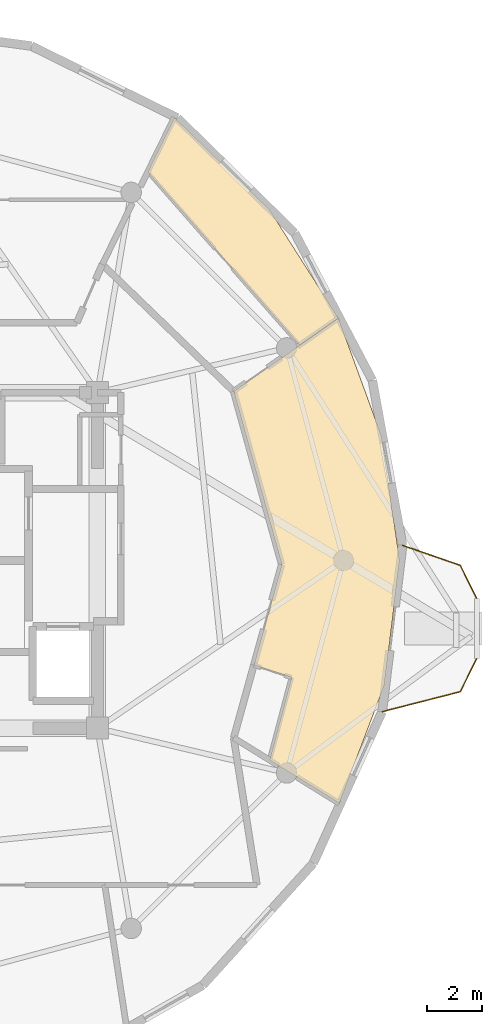
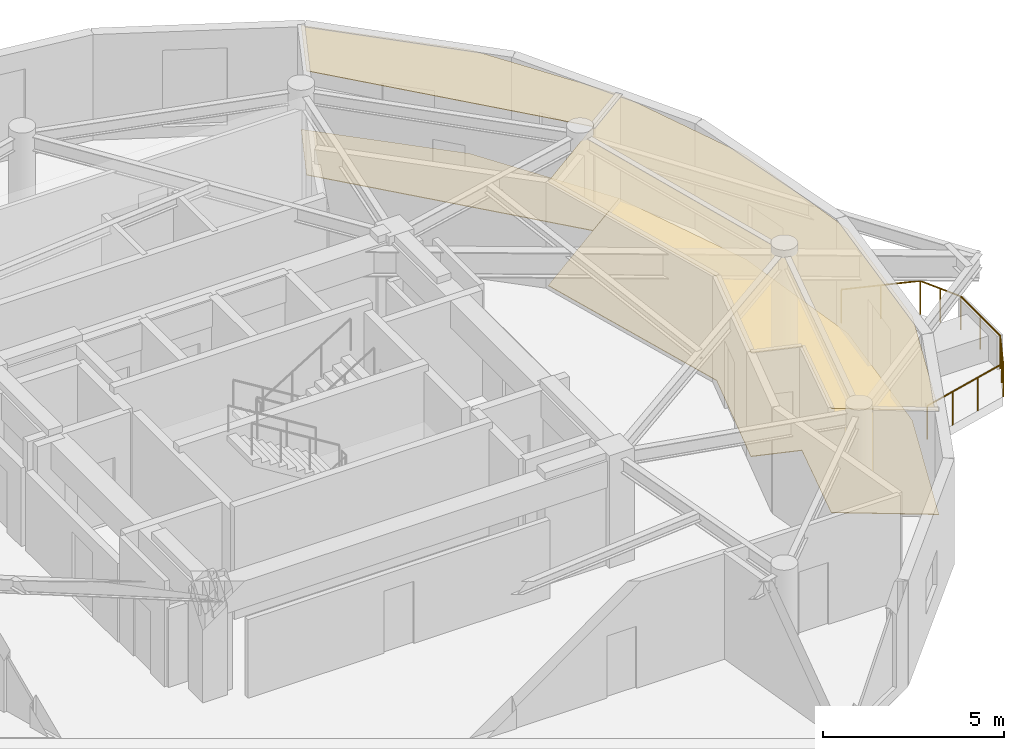
# One storey, part 18 of 18: 4 coverings, 1 railing.
"""IFC4 building model written with IfcOpenShell, lengths in metres."""

from ifc_helpers import new_model, si_unit, direction, frame, origin, origin_2d, place, context, subcontext, project, spatial, polyline, circle, outline, extrude, material, layer, layer_set, type_object, element, save


model = new_model("IFC4")

# Units and contexts
model_context = context("Model", 3, precision=1e-05, world=origin(), true_north=direction((0.0, 1.0)))
body_context = subcontext(model_context, "Body", "Model", "MODEL_VIEW")
ifc_project = project(units=[si_unit("LENGTHUNIT", "METRE"), si_unit("AREAUNIT", "SQUARE_METRE"), si_unit("VOLUMEUNIT", "CUBIC_METRE"), si_unit("PLANEANGLEUNIT", "RADIAN"), si_unit("MASSUNIT", "GRAM", prefix="KILO")], contexts=[model_context])

# Site, building, storey
site_placement = place(None, origin())
site = spatial("IfcSite", under=ifc_project, at=site_placement, CompositionType="ELEMENT")
building_placement = place(site_placement, origin())
building = spatial("IfcBuilding", under=site, at=building_placement, Name="Solvirekh Grand Hotel", CompositionType="ELEMENT")
storey_placement = place(building_placement, frame((0.0, 0.0, 274.39990234375)))
storey = spatial("IfcBuildingStorey", under=building, at=storey_placement, Name="L71", CompositionType="ELEMENT", Elevation=274.39990234375)

# Coverings
ifc_material_1 = material(Name="Acoustic Mineral Ceiling Tile")
ifc_layer_1 = layer(ifc_material_1, 0.02490234375)
ifc_layer_set_1 = layer_set([ifc_layer_1], Name="Acoustic Mineral Ceiling Tile")
covering_type_1 = type_object("IfcCoveringType", Name="Cov_Ceiling_Acoustic", PredefinedType="CEILING", material=ifc_layer_set_1)
covering_1_placement = place(storey_placement, frame((0.0, 0.0, 3.52001953125)))
element("IfcCovering", 1, at=covering_1_placement, inside=storey, type_object=covering_type_1, Name="L71 Diplomatic Suite 7304 Living Room acoustic ceiling", PredefinedType="CEILING", context=body_context, shape_type="SweptSolid", body=[
    extrude(outline(polyline([(13.555908203125, -4.251953125), (12.759033203125, -7.260009765625), (15.294921875, -8.8310546875), (16.928955078125, -4.535888671875), (17.485107421875, 0.0), (16.8291015625, 4.509033203125), (15.260009765625, 8.81005859375), (11.451904296875, 6.14990234375), (13.199951171875, -0.14990234375), (12.18603515625, -3.803955078125), (13.555908203125, -4.251953125)])), origin(), (0.0, 0.0, 1.0), 0.01806640625),
])
covering_2_placement = place(storey_placement, frame((0.0, 0.0, 3.52001953125)))
element("IfcCovering", 2, at=covering_2_placement, inside=storey, type_object=covering_type_1, Name="L71 Diplomatic Suite 7304 Master Bedroom acoustic ceiling", PredefinedType="CEILING", context=body_context, shape_type="SweptSolid", body=[
    extrude(outline(polyline([(15.260009765625, 8.81005859375), (12.7529296875, 12.7529296875), (9.2958984375, 16.10107421875), (8.325927734375, 14.1259765625), (13.85107421875, 7.825927734375), (15.260009765625, 8.81005859375)])), origin(), (0.0, 0.0, 1.0), 0.01806640625),
])
ifc_material_2 = material(Name="Porcelain Stoneware Flooring", Category="masonry")
ifc_layer_2 = layer(ifc_material_2, 0.030029296875)
ifc_layer_set_2 = layer_set([ifc_layer_2], Name="Porcelain Stoneware Flooring")
covering_type_2 = type_object("IfcCoveringType", Name="Cov_Floor_Stone", PredefinedType="FLOORING", material=ifc_layer_set_2)
covering_3_placement = place(storey_placement, origin())
element("IfcCovering", 3, at=covering_3_placement, inside=storey, type_object=covering_type_2, Name="L71 Diplomatic Suite 7304 Living Room polished granite flooring", PredefinedType="FLOORING", context=body_context, shape_type="SweptSolid", body=[
    extrude(outline(polyline([(13.555908203125, -4.251953125), (12.759033203125, -7.260009765625), (15.294921875, -8.8310546875), (16.928955078125, -4.535888671875), (17.485107421875, 0.0), (16.8291015625, 4.509033203125), (15.260009765625, 8.81005859375), (11.451904296875, 6.14990234375), (13.199951171875, -0.14990234375), (12.18603515625, -3.803955078125), (13.555908203125, -4.251953125)])), origin(), (0.0, 0.0, 1.0), 0.02001953125),
])
covering_4_placement = place(storey_placement, origin())
element("IfcCovering", 4, at=covering_4_placement, inside=storey, type_object=covering_type_2, Name="L71 Diplomatic Suite 7304 Master Bedroom polished granite flooring", PredefinedType="FLOORING", context=body_context, shape_type="SweptSolid", body=[
    extrude(outline(polyline([(15.260009765625, 8.81005859375), (12.7529296875, 12.7529296875), (9.2958984375, 16.10107421875), (8.325927734375, 14.1259765625), (13.85107421875, 7.825927734375), (15.260009765625, 8.81005859375)])), origin(), (0.0, 0.0, 1.0), 0.02001953125),
])

# Railing
ifc_material_3 = material(Name="Anodized Bronze Aluminium 6063-T6", Category="aluminium")
railing_type = type_object("IfcRailingType", Name="Guard_ExtGlass_1150", PredefinedType="BALUSTRADE", material=ifc_material_3)
railing_placement = place(storey_placement, frame((16.85107421875, -5.5, 0.0)))
element("IfcRailing", 5, at=railing_placement, inside=storey, type_object=railing_type, Name="L71 horn perimeter glass balustrade", PredefinedType="BALUSTRADE", context=body_context, shape_type="SweptSolid", body=[
    extrude(circle(Radius=0.02392578125, at=origin_2d()), frame((0.0, 0.0, 1.1259765625), z_axis=(0.968855683644, 0.247626057336, 0.0), x_axis=(-0.247626057336, 0.968855683644, 0.0)), (0.0, 0.0, 1.0), 2.93212890625),
    extrude(circle(Radius=0.02392578125, at=origin_2d()), frame((2.8408203125, 0.72607421875, 1.1259765625), z_axis=(0.444319026152, 0.895868630436, 0.0), x_axis=(-0.895868630436, 0.444319026152, 0.0)), (0.0, 0.0, 1.0), 1.3505859375),
    extrude(circle(Radius=0.02392578125, at=origin_2d()), frame((3.44091796875, 1.93603515625, 1.1259765625), z_axis=(0.0, 1.0, 0.0), x_axis=(-1.0, 0.0, 0.0)), (0.0, 0.0, 1.0), 2.177978515625),
    extrude(circle(Radius=0.02392578125, at=origin_2d()), frame((3.44091796875, 4.114013671875, 1.1259765625), z_axis=(-0.444319026152, 0.895868630436, 0.0), x_axis=(-0.895868630436, -0.444319026152, 0.0)), (0.0, 0.0, 1.0), 1.3505859375),
    extrude(circle(Radius=0.02392578125, at=origin_2d()), frame((2.8408203125, 5.323974609375, 1.1259765625), z_axis=(-0.94509706246, 0.326789752791, 0.0), x_axis=(-0.326789752791, -0.94509706246, 0.0)), (0.0, 0.0, 1.0), 2.221923828125),
    extrude(circle(Radius=0.02099609375, at=origin_2d()), origin(), (0.0, 0.0, 1.0), 1.101806640625),
    extrude(circle(Radius=0.02099609375, at=origin_2d()), frame((0.947021484375, 0.241943359375, 0.0)), (0.0, 0.0, 1.0), 1.101806640625),
    extrude(circle(Radius=0.02099609375, at=origin_2d()), frame((1.893798828125, 0.484130859375, 0.0)), (0.0, 0.0, 1.0), 1.101806640625),
    extrude(circle(Radius=0.02099609375, at=origin_2d()), frame((2.8408203125, 0.72607421875, 0.0)), (0.0, 0.0, 1.0), 1.101806640625),
    extrude(circle(Radius=0.02099609375, at=origin_2d()), frame((3.140869140625, 1.3310546875, 0.0)), (0.0, 0.0, 1.0), 1.101806640625),
    extrude(circle(Radius=0.02099609375, at=origin_2d()), frame((3.44091796875, 1.93603515625, 0.0)), (0.0, 0.0, 1.0), 1.101806640625),
    extrude(circle(Radius=0.02099609375, at=origin_2d()), frame((3.44091796875, 3.02490234375, 0.0)), (0.0, 0.0, 1.0), 1.101806640625),
    extrude(circle(Radius=0.02099609375, at=origin_2d()), frame((3.44091796875, 4.114013671875, 0.0)), (0.0, 0.0, 1.0), 1.101806640625),
    extrude(circle(Radius=0.02099609375, at=origin_2d()), frame((3.140869140625, 4.718994140625, 0.0)), (0.0, 0.0, 1.0), 1.101806640625),
    extrude(circle(Radius=0.02099609375, at=origin_2d()), frame((2.8408203125, 5.323974609375, 0.0)), (0.0, 0.0, 1.0), 1.101806640625),
    extrude(circle(Radius=0.02099609375, at=origin_2d()), frame((1.791015625, 5.68701171875, 0.0)), (0.0, 0.0, 1.0), 1.101806640625),
    extrude(circle(Radius=0.02099609375, at=origin_2d()), frame((0.740966796875, 6.050048828125, 0.0)), (0.0, 0.0, 1.0), 1.101806640625),
])

save(model, "model.ifc")
